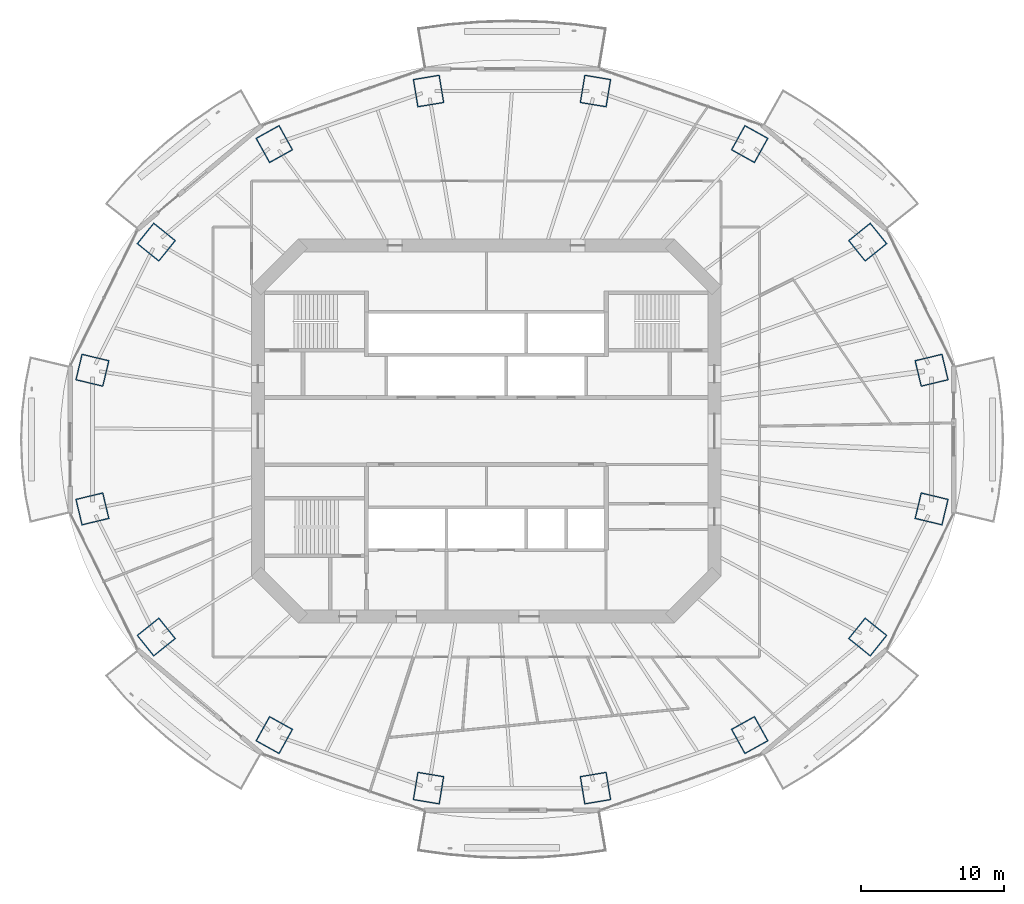
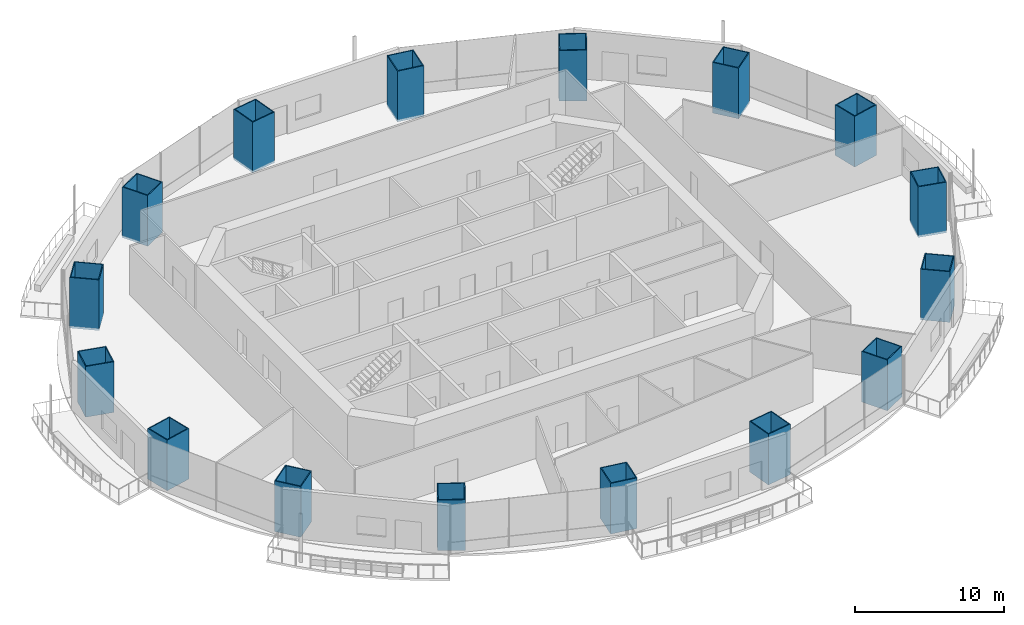
# One storey, part 1 of 21: 16 columns.
"""IFC4 building model written with IfcOpenShell, lengths in metres."""

import ifcopenshell
import ifcopenshell.guid

model = None  # the IFC model being written
_history = None  # IfcOwnerHistory: only IFC2X3 demands one
_inside = {}  # id of a spatial element -> (the spatial element, [elements in it])
_under = {}  # id of a project, library or spatial element -> (it, [spatial elements below it])
_declared = {}  # id of a project -> (the project, [libraries it declares])
_typed = {}  # id of a type object -> (the type object, [elements of that type])
_made_of = {}  # id of a material, layer set ... -> (it, [elements and type objects made of it])


def new_model(schema):
    """Start an empty IFC model of exactly this schema.

    Asked for "IFC4X3", IfcOpenShell would pick the latest addendum, in which some entities
    have other attributes; the version numbers below select the first issue.
    IFC2X3 requires an IfcOwnerHistory on every rooted entity: one is made here for all.
    """
    global model, _history
    if schema == "IFC4X3":
        model = ifcopenshell.file(schema_version=(4, 3, 0, 0))
    else:
        model = ifcopenshell.file(schema=schema)
    _inside.clear()
    _under.clear()
    _declared.clear()
    _typed.clear()
    _made_of.clear()
    _history = None
    if model.schema == "IFC2X3":
        org = make("IfcOrganization", Name="unknown")
        user = make(
            "IfcPersonAndOrganization",
            ThePerson=make("IfcPerson", FamilyName="unknown"),
            TheOrganization=org,
        )
        app = make(
            "IfcApplication",
            ApplicationDeveloper=org,
            Version="unknown",
            ApplicationFullName="unknown",
            ApplicationIdentifier="unknown",
        )
        _history = make(
            "IfcOwnerHistory",
            OwningUser=user,
            OwningApplication=app,
            ChangeAction="ADDED",
            CreationDate=0,
        )
    return model


def make(cls, **values):
    """One entity of the class cls with the attributes given. An attribute that is None is left unset."""
    return model.create_entity(
        cls, **{name: value for name, value in values.items() if value is not None}
    )


def rooted(cls, **values):
    """An entity with a GlobalId (a new one), such as an element, a storey or a relation."""
    return make(cls, GlobalId=ifcopenshell.guid.new(), OwnerHistory=_history, **values)


def si_unit(unit_type, name, prefix=None):
    """IfcSIUnit, for example si_unit("LENGTHUNIT", "METRE", prefix="MILLI")."""
    return make("IfcSIUnit", UnitType=unit_type, Prefix=prefix, Name=name)


def assignment(units):
    """IfcUnitAssignment: the units of a project."""
    return None if units is None else make("IfcUnitAssignment", Units=units)


def point(xyz):
    """IfcCartesianPoint."""
    return None if xyz is None else make("IfcCartesianPoint", Coordinates=xyz)


def direction(xyz):
    """IfcDirection."""
    return None if xyz is None else make("IfcDirection", DirectionRatios=xyz)


def frame(location, z_axis=None, x_axis=None):
    """IfcAxis2Placement3D, a coordinate frame: its origin and axes. An axis left out is left unset."""
    return make(
        "IfcAxis2Placement3D",
        Location=point(location),
        Axis=direction(z_axis),
        RefDirection=direction(x_axis),
    )


def frame_2d(location, x_axis=None):
    """IfcAxis2Placement2D, a coordinate frame in the plane: its origin and x axis."""
    return make(
        "IfcAxis2Placement2D", Location=point(location), RefDirection=direction(x_axis)
    )


def origin():
    """The frame at (0, 0, 0) with its axes left unset."""
    return frame((0.0, 0.0, 0.0))


def origin_2d():
    """The frame at (0, 0) in the plane with its x axis left unset."""
    return frame_2d((0.0, 0.0))


def place(relative_to, where):
    """IfcLocalPlacement: puts the frame where relative to a parent placement (None: the world)."""
    return make(
        "IfcLocalPlacement", PlacementRelTo=relative_to, RelativePlacement=where
    )


def context(
    kind, dimensions, precision=None, world=None, true_north=None, identifier=None
):
    """IfcGeometricRepresentationContext, for example the 3D "Model" context."""
    return make(
        "IfcGeometricRepresentationContext",
        ContextIdentifier=identifier,
        ContextType=kind,
        CoordinateSpaceDimension=dimensions,
        Precision=precision,
        WorldCoordinateSystem=world,
        TrueNorth=true_north,
    )


def subcontext(parent, identifier, kind, view, scale=None):
    """IfcGeometricRepresentationSubContext, for example "Body" below "Model"."""
    return make(
        "IfcGeometricRepresentationSubContext",
        ContextIdentifier=identifier,
        ContextType=kind,
        ParentContext=parent,
        TargetScale=scale,
        TargetView=view,
    )


def project(units=None, contexts=None):
    """IfcProject with its units and contexts."""
    return rooted(
        "IfcProject",
        Name="project",
        RepresentationContexts=contexts,
        UnitsInContext=assignment(units),
    )


def spatial(cls, under=None, at=None, **own):
    """A site, building, storey or space (cls), placed at a placement, below another one or the project."""
    s = rooted(cls, ObjectPlacement=at, **own)
    if under is not None:
        _under.setdefault(under.id(), (under, []))[1].append(s)
    return s


def profile(cls, at=None, kind="AREA", **sizes):
    """A parametric profile (cls). Its sizes go by their IFC names, for example OverallWidth=200.0."""
    return make(cls, ProfileType=kind, Position=at, **sizes)


def rectangle(**sizes):
    """IfcRectangleProfileDef."""
    return profile("IfcRectangleProfileDef", **sizes)


def hollow_rectangle(**sizes):
    """IfcRectangleHollowProfileDef."""
    return profile("IfcRectangleHollowProfileDef", **sizes)


def extrude(swept, where, along, depth):
    """IfcExtrudedAreaSolid: the profile swept, set in the frame where, extruded along a direction by depth."""
    return make(
        "IfcExtrudedAreaSolid",
        SweptArea=swept,
        Position=where,
        ExtrudedDirection=direction(along),
        Depth=depth,
    )


def shape(context_of_items, identifier, shape_type, items):
    """IfcShapeRepresentation: the items that make up one representation, for example the "Body"."""
    return make(
        "IfcShapeRepresentation",
        ContextOfItems=context_of_items,
        RepresentationIdentifier=identifier,
        RepresentationType=shape_type,
        Items=items,
    )


def material(Name=None, Category=None):
    """IfcMaterial."""
    return make("IfcMaterial", Name=Name, Category=Category)


def material_profile(
    of_material, cross_section, Name=None, Category=None, Priority=None
):
    """IfcMaterialProfile: a cross section and its material."""
    return make(
        "IfcMaterialProfile",
        Name=Name,
        Material=of_material,
        Profile=cross_section,
        Priority=Priority,
        Category=Category,
    )


def profile_set(profiles, Name=None, composite=None):
    """IfcMaterialProfileSet."""
    return make(
        "IfcMaterialProfileSet",
        Name=Name,
        MaterialProfiles=profiles,
        CompositeProfile=composite,
    )


def made_of(thing, what):
    """Note that an element or type object is made of a material, layer set ...; save() writes the relation."""
    if what is not None:
        _made_of.setdefault(what.id(), (what, []))[1].append(thing)
    return thing


def type_object(cls, material=None, **own):
    """A type object (cls), such as IfcWallType, which elements share."""
    return made_of(rooted(cls, **own), material)


def element(
    cls,
    number,
    at=None,
    inside=None,
    cuts=None,
    type_object=None,
    material=None,
    context=None,
    identifier="Body",
    shape_type=None,
    held_by="IfcProductDefinitionShape",
    body=None,
    shapes=None,
    **own,
):
    """One element of the class cls, such as IfcWall. Its Tag is "e" and its number.

    at: its placement. inside: the storey or other place that contains it. cuts: it is an
    opening in that element (IfcRelVoidsElement). A single representation is given by context,
    identifier, shape_type and body (its items); several are given by shapes. held_by: the class
    of the entity that holds the representations. save() writes the other relations.
    """
    e = rooted(cls, Tag="e%d" % number, ObjectPlacement=at, **own)
    if body is not None:
        shapes = [shape(context, identifier, shape_type, body)]
    if shapes is not None:
        e.Representation = make(held_by, Representations=shapes)
    if inside is not None:
        _inside.setdefault(inside.id(), (inside, []))[1].append(e)
    if cuts is not None:
        rooted(
            "IfcRelVoidsElement", RelatingBuildingElement=cuts, RelatedOpeningElement=e
        )
    if type_object is not None:
        _typed.setdefault(type_object.id(), (type_object, []))[1].append(e)
    return made_of(e, material)


def aggregate(whole, parts):
    """IfcRelAggregates: a whole, such as a stair, and the parts it consists of."""
    return rooted("IfcRelAggregates", RelatingObject=whole, RelatedObjects=parts)


def save(model, path):
    """Write the relations noted so far, then the file.

    IfcRelAggregates (storeys below a building ...), IfcRelContainedInSpatialStructure (elements
    in a storey), IfcRelDefinesByType, IfcRelAssociatesMaterial and IfcRelDeclares: one each for
    every whole, place, type object, material and project.
    """
    for whole, parts in _under.values():
        aggregate(whole, parts)
    for where, things in _inside.values():
        rooted(
            "IfcRelContainedInSpatialStructure",
            RelatedElements=things,
            RelatingStructure=where,
        )
    for kind, things in _typed.values():
        rooted("IfcRelDefinesByType", RelatedObjects=things, RelatingType=kind)
    for what, things in _made_of.values():
        rooted("IfcRelAssociatesMaterial", RelatedObjects=things, RelatingMaterial=what)
    for by, libraries in _declared.values():
        rooted("IfcRelDeclares", RelatingContext=by, RelatedDefinitions=libraries)
    model.write(path)


model = new_model("IFC4")

# Units and contexts
model_context = context("Model", 3, precision=1e-05, world=origin(), true_north=direction((0.0, 1.0)))
body_context = subcontext(model_context, "Body", "Model", "MODEL_VIEW")
ifc_project = project(units=[si_unit("LENGTHUNIT", "METRE"), si_unit("AREAUNIT", "SQUARE_METRE"), si_unit("VOLUMEUNIT", "CUBIC_METRE"), si_unit("PLANEANGLEUNIT", "RADIAN"), si_unit("MASSUNIT", "GRAM", prefix="KILO")], contexts=[model_context])

# Site, building, storey
site_placement = place(None, origin())
site = spatial("IfcSite", under=ifc_project, at=site_placement, CompositionType="ELEMENT")
building_placement = place(site_placement, origin())
building = spatial("IfcBuilding", under=site, at=building_placement, Name="Marenthal Gate Tower", CompositionType="ELEMENT")
storey_placement = place(building_placement, frame((0.0, 0.0, 202.550048828125)))
storey = spatial("IfcBuildingStorey", under=building, at=storey_placement, Name="L44", CompositionType="ELEMENT", Elevation=202.550048828125)

# Columns
ifc_material_1 = material(Name="Steel S460", Category="steel")
ifc_material_profile_1 = material_profile(ifc_material_1, hollow_rectangle(XDim=1.89990234375, YDim=2.0, WallThickness=0.070068359375, at=origin_2d()), Name="CFT BOX 2000X1900X70")
ifc_material_2 = material(Name="Concrete 70 MPa", Category="concrete")
ifc_material_profile_2 = material_profile(ifc_material_2, rectangle(XDim=1.760009765625, YDim=1.860107421875, at=origin_2d()), Name="CFT BOX 2000X1900X70 INFILL")
ifc_profile_set = profile_set([ifc_material_profile_1, ifc_material_profile_2], Name="Steel S460 shell, Concrete 70 MPa infill")
column_type = type_object("IfcColumnType", Name="CFT BOX 2000X1900X70", PredefinedType="COLUMN", material=ifc_profile_set)
for number, where, z_axis, x_axis, name in (
    (1, (31.2158203125, 4.2607421875, -0.179931640625), (0.0, 0.0, 1.0), (0.232863214816, -0.972509497735, 0.0), "COL-L44-01"),
    (2, (26.7373046875, 13.241943359375, -0.179931640625), (0.0, 0.0, 1.0), (0.626752061972, -0.779218745164, 0.0), "COL-L44-02"),
    (3, (18.462646484375, 20.1162109375, -0.179931640625), (0.0, 0.0, 1.0), (0.874336943644, -0.48531938863, 0.0), "COL-L44-03"),
    (4, (7.651123046875, 23.836181640625, -0.179931640625), (0.0, 0.0, 1.0), (0.986621147056, -0.163029789247, 0.0), "COL-L44-04"),
    (5, (-4.051025390625, 23.836181640625, -0.179931640625), (0.0, 0.0, 1.0), (0.986621147056, 0.163029789247, 0.0), "COL-L44-05"),
    (6, (-14.86279296875, 20.1162109375, -0.179931640625), (0.0, 0.0, 1.0), (0.874336943644, 0.48531938863, 0.0), "COL-L44-06"),
    (7, (-23.137451171875, 13.241943359375, -0.179931640625), (0.0, 0.0, 1.0), (0.626752061972, 0.779218745164, 0.0), "COL-L44-07"),
    (8, (-27.61572265625, 4.2607421875, -0.179931640625), (0.0, 0.0, 1.0), (0.232863214816, 0.972509497735, 0.0), "COL-L44-08"),
    (9, (-27.61572265625, -5.460693359375, -0.179931640625), (0.0, 0.0, 1.0), (-0.232863214816, 0.972509497735, 0.0), "COL-L44-09"),
    (10, (-23.137451171875, -14.44189453125, -0.179931640625), (0.0, 0.0, 1.0), (-0.626752061972, 0.779218745164, 0.0), "COL-L44-10"),
    (11, (-14.86279296875, -21.316162109375, -0.179931640625), (0.0, 0.0, 1.0), (-0.874336943644, 0.48531938863, 0.0), "COL-L44-11"),
    (12, (-4.051025390625, -25.036376953125, -0.179931640625), (0.0, 0.0, 1.0), (-0.986621147056, 0.163029789247, 0.0), "COL-L44-12"),
    (13, (7.651123046875, -25.036376953125, -0.179931640625), (0.0, 0.0, 1.0), (-0.986621147056, -0.163029789247, 0.0), "COL-L44-13"),
    (14, (18.462646484375, -21.316162109375, -0.179931640625), (0.0, 0.0, 1.0), (-0.874336943644, -0.48531938863, 0.0), "COL-L44-14"),
    (15, (26.7373046875, -14.44189453125, -0.179931640625), (0.0, 0.0, 1.0), (-0.626752061972, -0.779218745164, 0.0), "COL-L44-15"),
    (16, (31.2158203125, -5.460693359375, -0.179931640625), (0.0, 0.0, 1.0), (-0.232863214816, -0.972509497735, 0.0), "COL-L44-16"),
):
    element("IfcColumn", number, at=place(storey_placement, frame(where, z_axis=z_axis, x_axis=x_axis)), inside=storey, type_object=column_type, Name=name, PredefinedType="COLUMN", context=body_context, shape_type="SweptSolid", body=[
        extrude(hollow_rectangle(XDim=1.89990234375, YDim=2.0, WallThickness=0.070068359375, at=origin_2d()), origin(), (0.0, 0.0, 1.0), 4.14990234375),
    ])

save(model, "model.ifc")
